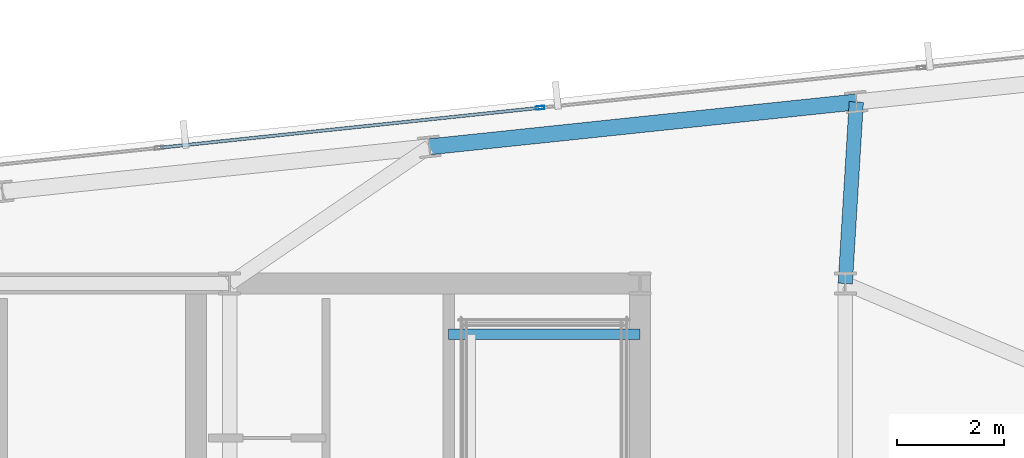
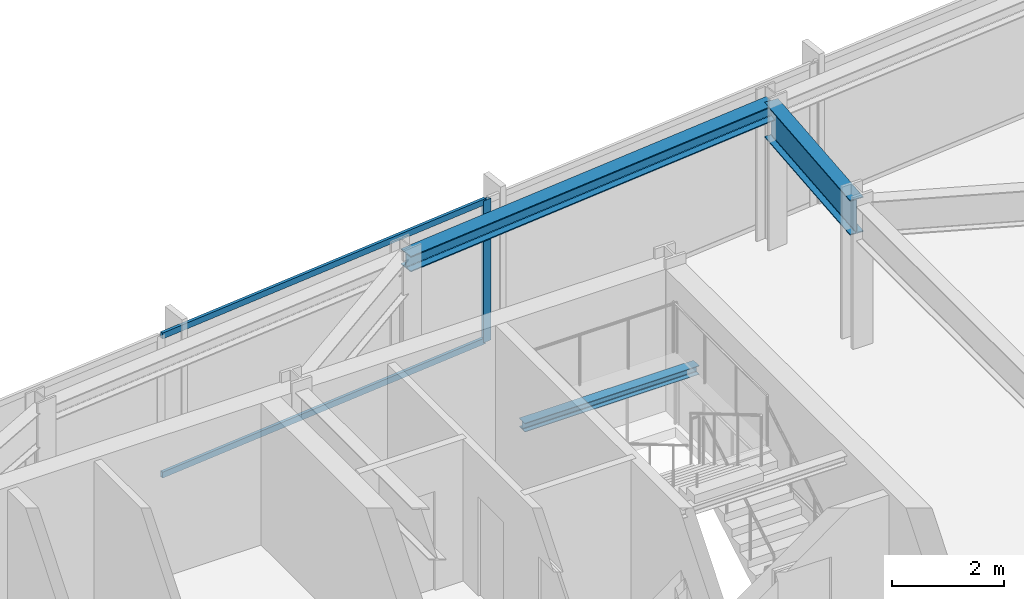
# One storey, part 23 of 33: 3 beams, 3 members, 1 element without a shape of its own.
"""IFC4 building model written with IfcOpenShell, lengths in metres."""

from ifc_helpers import new_model, si_unit, direction, frame, origin, origin_2d, place, context, subcontext, project, spatial, hollow_rectangle, i_section, extrude, material, material_profile, profile_set, type_object, element, aggregate, save


model = new_model("IFC4")

# Units and contexts
model_context = context("Model", 3, precision=1e-05, world=origin(), true_north=direction((0.0, 1.0)))
body_context = subcontext(model_context, "Body", "Model", "MODEL_VIEW")
ifc_project = project(units=[si_unit("LENGTHUNIT", "METRE"), si_unit("AREAUNIT", "SQUARE_METRE"), si_unit("VOLUMEUNIT", "CUBIC_METRE"), si_unit("PLANEANGLEUNIT", "RADIAN"), si_unit("MASSUNIT", "GRAM", prefix="KILO")], contexts=[model_context])

# Site, building, storey
site_placement = place(None, origin())
site = spatial("IfcSite", under=ifc_project, at=site_placement, CompositionType="ELEMENT")
building_placement = place(site_placement, origin())
building = spatial("IfcBuilding", under=site, at=building_placement, Name="Yelkora Congress Tower", CompositionType="ELEMENT")
storey_placement = place(building_placement, frame((0.0, 0.0, 221.0)))
storey = spatial("IfcBuildingStorey", under=building, at=storey_placement, Name="L61", CompositionType="ELEMENT", Elevation=221.0)

# Beams
ifc_material_1 = material(Name="Steel S355J2", Category="steel")
ifc_material_profile_1 = material_profile(ifc_material_1, i_section(OverallWidth=0.26708984375, OverallDepth=0.761962890625, WebThickness=0.014404296875, FlangeThickness=0.021484375, FilletRadius=0.01708984375, at=origin_2d()), Name="IPE 750x173")
ifc_profile_set_1 = profile_set([ifc_material_profile_1], Name="Steel S355J2")
beam_type_1 = type_object("IfcBeamType", Name="BM-GIRD-IPE750", PredefinedType="BEAM", material=ifc_profile_set_1)
beam_1_placement = place(storey_placement, frame((57.806640625, 49.5966796875, 2.698974609375), z_axis=(-0.060694337224, -0.998156399283, 0.0), x_axis=(0.998156399283, -0.060694337224, 0.0)))
element("IfcBeam", 1, at=beam_1_placement, inside=storey, type_object=beam_type_1, Name="L61 Primary Frame Girder N06", PredefinedType="BEAM", context=body_context, shape_type="SweptSolid", body=[
    extrude(i_section(OverallWidth=0.26708984375, OverallDepth=0.761962890625, WebThickness=0.014404296875, FlangeThickness=0.021484375, FilletRadius=0.01708984375, at=origin_2d()), origin(), (0.0, 0.0, 1.0), 3.403076171875),
])
ifc_material_profile_2 = material_profile(ifc_material_1, i_section(OverallWidth=0.199951171875, OverallDepth=0.18994140625, WebThickness=0.006591796875, FlangeThickness=0.010009765625, FilletRadius=0.01806640625, at=origin_2d()), Name="HEA 200")
ifc_profile_set_2 = profile_set([ifc_material_profile_2], Name="Steel S355J2")
beam_type_2 = type_object("IfcBeamType", Name="BM-LAND-HEA200", PredefinedType="BEAM", material=ifc_profile_set_2)
beam_2_placement = place(storey_placement, frame((50.179931640625, 45.25, 1.334716796875), z_axis=(1.0, 0.0, 0.0), x_axis=(0.0, 1.0, 0.0)))
element("IfcBeam", 2, at=beam_2_placement, inside=storey, type_object=beam_type_2, Name="ST-02 L61 Landing Header Beam 1N", PredefinedType="BEAM", context=body_context, shape_type="SweptSolid", body=[
    extrude(i_section(OverallWidth=0.199951171875, OverallDepth=0.18994140625, WebThickness=0.006591796875, FlangeThickness=0.010009765625, FilletRadius=0.01806640625, at=origin_2d()), origin(), (0.0, 0.0, 1.0), 3.580078125),
])
ifc_material_profile_3 = material_profile(ifc_material_1, i_section(OverallWidth=0.300048828125, OverallDepth=0.340087890625, WebThickness=0.011962890625, FlangeThickness=0.021484375, FilletRadius=0.027099609375, at=origin_2d()), Name="HEB 340")
ifc_profile_set_3 = profile_set([ifc_material_profile_3], Name="Steel S355J2")
beam_type_3 = type_object("IfcBeamType", Name="BM-SPAN-HEB340", PredefinedType="SPANDREL", material=ifc_profile_set_3)
beam_3_placement = place(storey_placement, frame((57.806640625, 49.5966796875, 2.909912109375), z_axis=(-0.994523256947, -0.104515507904, 0.0), x_axis=(0.104515507904, -0.994523256947, 0.0)))
element("IfcBeam", 3, at=beam_3_placement, inside=storey, type_object=beam_type_3, Name="L61 Perimeter Beam 14", PredefinedType="SPANDREL", context=body_context, shape_type="SweptSolid", body=[
    extrude(i_section(OverallWidth=0.300048828125, OverallDepth=0.340087890625, WebThickness=0.011962890625, FlangeThickness=0.021484375, FilletRadius=0.027099609375, at=origin_2d()), origin(), (0.0, 0.0, 1.0), 8.033203125),
])

# Curtain wall, members
ifc_material_2 = material(Name="Anodised aluminium and insulated glass", Category="aluminium")
curtain_wall_type = type_object("IfcCurtainWallType", Name="CW-SYS-B4", PredefinedType="NOTDEFINED", material=ifc_material_2)
curtain_wall_placement = place(storey_placement, origin())
curtain_wall = element("IfcCurtainWall", 4, at=curtain_wall_placement, inside=storey, type_object=curtain_wall_type, Name="L61 Unitised Curtain Wall 10 (3)", PredefinedType="NOTDEFINED")
ifc_material_3 = material(Name="Anodised aluminium 6063-T6", Category="aluminium")
ifc_material_profile_4 = material_profile(ifc_material_3, hollow_rectangle(XDim=0.06494140625, YDim=0.159912109375, WallThickness=0.00390625, at=origin_2d()), Name="ALU 65x160x4")
ifc_profile_set_4 = profile_set([ifc_material_profile_4], Name="Anodised aluminium 6063-T6")
member_type_1 = type_object("IfcMemberType", Name="MEM-ML-B4", PredefinedType="MULLION", material=ifc_profile_set_4)
member_1_placement = place(storey_placement, frame((51.888916015625, 49.487548828125, 0.0), z_axis=(0.0, 0.0, 1.0), x_axis=(-0.104527724021, 0.994521973066, 0.0)))
member_1 = element("IfcMember", 5, at=member_1_placement, type_object=member_type_1, Name="CW-B4 mullion 5", PredefinedType="MULLION", context=body_context, shape_type="SweptSolid", body=[
    extrude(hollow_rectangle(XDim=0.06494140625, YDim=0.159912109375, WallThickness=0.00390625, at=origin_2d()), origin(), (0.0, 0.0, 1.0), 3.080078125),
])
ifc_material_profile_5 = material_profile(ifc_material_3, hollow_rectangle(XDim=0.06005859375, YDim=0.1298828125, WallThickness=0.00390625, at=origin_2d()), Name="ALU 60x130x4")
ifc_profile_set_5 = profile_set([ifc_material_profile_5], Name="Anodised aluminium 6063-T6")
member_type_2 = type_object("IfcMemberType", Name="MEM-TR-B4", PredefinedType="USERDEFINED", material=ifc_profile_set_5)
member_2_placement = place(storey_placement, frame((44.79052734375, 48.74169921875, 0.030029296875), z_axis=(0.99452200925, 0.104527379751, 0.0), x_axis=(-0.104527379751, 0.99452200925, 0.0)))
member_2 = element("IfcMember", 6, at=member_2_placement, type_object=member_type_2, Name="CW-B4 transom 4.1", ObjectType="TRANSOM", PredefinedType="USERDEFINED", context=body_context, shape_type="SweptSolid", body=[
    extrude(hollow_rectangle(XDim=0.06005859375, YDim=0.1298828125, WallThickness=0.00390625, at=origin_2d()), origin(), (0.0, 0.0, 1.0), 7.10498046875),
])
member_3_placement = place(storey_placement, frame((44.79052734375, 48.74169921875, 3.050048828125), z_axis=(0.99452200925, 0.104527379751, 0.0), x_axis=(-0.104527379751, 0.99452200925, 0.0)))
member_3 = element("IfcMember", 7, at=member_3_placement, type_object=member_type_2, Name="CW-B4 transom 4.2", ObjectType="TRANSOM", PredefinedType="USERDEFINED", context=body_context, shape_type="SweptSolid", body=[
    extrude(hollow_rectangle(XDim=0.06005859375, YDim=0.1298828125, WallThickness=0.00390625, at=origin_2d()), origin(), (0.0, 0.0, 1.0), 7.10498046875),
])
aggregate(curtain_wall, [member_1, member_2, member_3])

save(model, "model.ifc")
